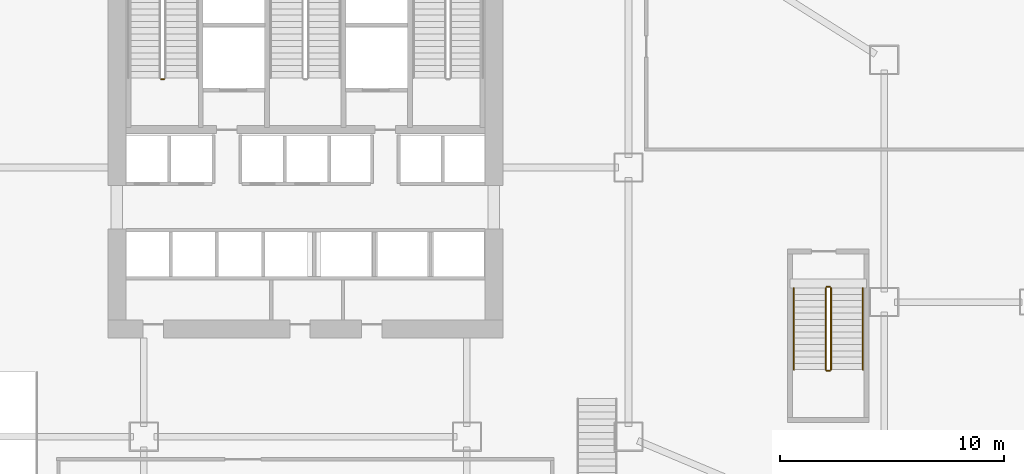
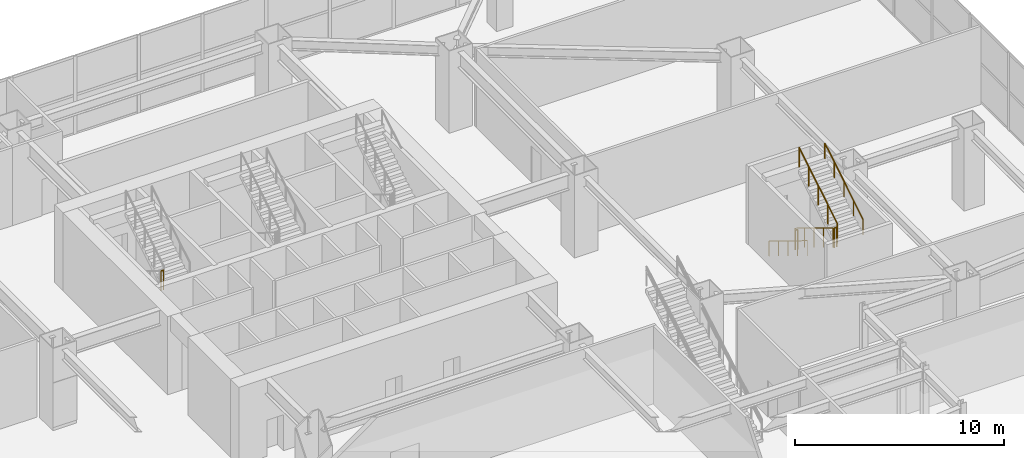
# One storey, part 29 of 31: 7 railings.
"""IFC4 building model written with IfcOpenShell, lengths in metres."""

import ifcopenshell
import ifcopenshell.guid

model = None  # the IFC model being written
_history = None  # IfcOwnerHistory: only IFC2X3 demands one
_inside = {}  # id of a spatial element -> (the spatial element, [elements in it])
_under = {}  # id of a project, library or spatial element -> (it, [spatial elements below it])
_declared = {}  # id of a project -> (the project, [libraries it declares])
_typed = {}  # id of a type object -> (the type object, [elements of that type])
_made_of = {}  # id of a material, layer set ... -> (it, [elements and type objects made of it])


def new_model(schema):
    """Start an empty IFC model of exactly this schema.

    Asked for "IFC4X3", IfcOpenShell would pick the latest addendum, in which some entities
    have other attributes; the version numbers below select the first issue.
    IFC2X3 requires an IfcOwnerHistory on every rooted entity: one is made here for all.
    """
    global model, _history
    if schema == "IFC4X3":
        model = ifcopenshell.file(schema_version=(4, 3, 0, 0))
    else:
        model = ifcopenshell.file(schema=schema)
    _inside.clear()
    _under.clear()
    _declared.clear()
    _typed.clear()
    _made_of.clear()
    _history = None
    if model.schema == "IFC2X3":
        org = make("IfcOrganization", Name="unknown")
        user = make(
            "IfcPersonAndOrganization",
            ThePerson=make("IfcPerson", FamilyName="unknown"),
            TheOrganization=org,
        )
        app = make(
            "IfcApplication",
            ApplicationDeveloper=org,
            Version="unknown",
            ApplicationFullName="unknown",
            ApplicationIdentifier="unknown",
        )
        _history = make(
            "IfcOwnerHistory",
            OwningUser=user,
            OwningApplication=app,
            ChangeAction="ADDED",
            CreationDate=0,
        )
    return model


def make(cls, **values):
    """One entity of the class cls with the attributes given. An attribute that is None is left unset."""
    return model.create_entity(
        cls, **{name: value for name, value in values.items() if value is not None}
    )


def rooted(cls, **values):
    """An entity with a GlobalId (a new one), such as an element, a storey or a relation."""
    return make(cls, GlobalId=ifcopenshell.guid.new(), OwnerHistory=_history, **values)


def si_unit(unit_type, name, prefix=None):
    """IfcSIUnit, for example si_unit("LENGTHUNIT", "METRE", prefix="MILLI")."""
    return make("IfcSIUnit", UnitType=unit_type, Prefix=prefix, Name=name)


def assignment(units):
    """IfcUnitAssignment: the units of a project."""
    return None if units is None else make("IfcUnitAssignment", Units=units)


def point(xyz):
    """IfcCartesianPoint."""
    return None if xyz is None else make("IfcCartesianPoint", Coordinates=xyz)


def direction(xyz):
    """IfcDirection."""
    return None if xyz is None else make("IfcDirection", DirectionRatios=xyz)


def frame(location, z_axis=None, x_axis=None):
    """IfcAxis2Placement3D, a coordinate frame: its origin and axes. An axis left out is left unset."""
    return make(
        "IfcAxis2Placement3D",
        Location=point(location),
        Axis=direction(z_axis),
        RefDirection=direction(x_axis),
    )


def frame_2d(location, x_axis=None):
    """IfcAxis2Placement2D, a coordinate frame in the plane: its origin and x axis."""
    return make(
        "IfcAxis2Placement2D", Location=point(location), RefDirection=direction(x_axis)
    )


def origin():
    """The frame at (0, 0, 0) with its axes left unset."""
    return frame((0.0, 0.0, 0.0))


def origin_2d():
    """The frame at (0, 0) in the plane with its x axis left unset."""
    return frame_2d((0.0, 0.0))


def place(relative_to, where):
    """IfcLocalPlacement: puts the frame where relative to a parent placement (None: the world)."""
    return make(
        "IfcLocalPlacement", PlacementRelTo=relative_to, RelativePlacement=where
    )


def context(
    kind, dimensions, precision=None, world=None, true_north=None, identifier=None
):
    """IfcGeometricRepresentationContext, for example the 3D "Model" context."""
    return make(
        "IfcGeometricRepresentationContext",
        ContextIdentifier=identifier,
        ContextType=kind,
        CoordinateSpaceDimension=dimensions,
        Precision=precision,
        WorldCoordinateSystem=world,
        TrueNorth=true_north,
    )


def subcontext(parent, identifier, kind, view, scale=None):
    """IfcGeometricRepresentationSubContext, for example "Body" below "Model"."""
    return make(
        "IfcGeometricRepresentationSubContext",
        ContextIdentifier=identifier,
        ContextType=kind,
        ParentContext=parent,
        TargetScale=scale,
        TargetView=view,
    )


def project(units=None, contexts=None):
    """IfcProject with its units and contexts."""
    return rooted(
        "IfcProject",
        Name="project",
        RepresentationContexts=contexts,
        UnitsInContext=assignment(units),
    )


def spatial(cls, under=None, at=None, **own):
    """A site, building, storey or space (cls), placed at a placement, below another one or the project."""
    s = rooted(cls, ObjectPlacement=at, **own)
    if under is not None:
        _under.setdefault(under.id(), (under, []))[1].append(s)
    return s


def profile(cls, at=None, kind="AREA", **sizes):
    """A parametric profile (cls). Its sizes go by their IFC names, for example OverallWidth=200.0."""
    return make(cls, ProfileType=kind, Position=at, **sizes)


def circle(**sizes):
    """IfcCircleProfileDef."""
    return profile("IfcCircleProfileDef", **sizes)


def extrude(swept, where, along, depth):
    """IfcExtrudedAreaSolid: the profile swept, set in the frame where, extruded along a direction by depth."""
    return make(
        "IfcExtrudedAreaSolid",
        SweptArea=swept,
        Position=where,
        ExtrudedDirection=direction(along),
        Depth=depth,
    )


def shape(context_of_items, identifier, shape_type, items):
    """IfcShapeRepresentation: the items that make up one representation, for example the "Body"."""
    return make(
        "IfcShapeRepresentation",
        ContextOfItems=context_of_items,
        RepresentationIdentifier=identifier,
        RepresentationType=shape_type,
        Items=items,
    )


def material(Name=None, Category=None):
    """IfcMaterial."""
    return make("IfcMaterial", Name=Name, Category=Category)


def made_of(thing, what):
    """Note that an element or type object is made of a material, layer set ...; save() writes the relation."""
    if what is not None:
        _made_of.setdefault(what.id(), (what, []))[1].append(thing)
    return thing


def type_object(cls, material=None, **own):
    """A type object (cls), such as IfcWallType, which elements share."""
    return made_of(rooted(cls, **own), material)


def element(
    cls,
    number,
    at=None,
    inside=None,
    cuts=None,
    type_object=None,
    material=None,
    context=None,
    identifier="Body",
    shape_type=None,
    held_by="IfcProductDefinitionShape",
    body=None,
    shapes=None,
    **own,
):
    """One element of the class cls, such as IfcWall. Its Tag is "e" and its number.

    at: its placement. inside: the storey or other place that contains it. cuts: it is an
    opening in that element (IfcRelVoidsElement). A single representation is given by context,
    identifier, shape_type and body (its items); several are given by shapes. held_by: the class
    of the entity that holds the representations. save() writes the other relations.
    """
    e = rooted(cls, Tag="e%d" % number, ObjectPlacement=at, **own)
    if body is not None:
        shapes = [shape(context, identifier, shape_type, body)]
    if shapes is not None:
        e.Representation = make(held_by, Representations=shapes)
    if inside is not None:
        _inside.setdefault(inside.id(), (inside, []))[1].append(e)
    if cuts is not None:
        rooted(
            "IfcRelVoidsElement", RelatingBuildingElement=cuts, RelatedOpeningElement=e
        )
    if type_object is not None:
        _typed.setdefault(type_object.id(), (type_object, []))[1].append(e)
    return made_of(e, material)


def aggregate(whole, parts):
    """IfcRelAggregates: a whole, such as a stair, and the parts it consists of."""
    return rooted("IfcRelAggregates", RelatingObject=whole, RelatedObjects=parts)


def save(model, path):
    """Write the relations noted so far, then the file.

    IfcRelAggregates (storeys below a building ...), IfcRelContainedInSpatialStructure (elements
    in a storey), IfcRelDefinesByType, IfcRelAssociatesMaterial and IfcRelDeclares: one each for
    every whole, place, type object, material and project.
    """
    for whole, parts in _under.values():
        aggregate(whole, parts)
    for where, things in _inside.values():
        rooted(
            "IfcRelContainedInSpatialStructure",
            RelatedElements=things,
            RelatingStructure=where,
        )
    for kind, things in _typed.values():
        rooted("IfcRelDefinesByType", RelatedObjects=things, RelatingType=kind)
    for what, things in _made_of.values():
        rooted("IfcRelAssociatesMaterial", RelatedObjects=things, RelatingMaterial=what)
    for by, libraries in _declared.values():
        rooted("IfcRelDeclares", RelatingContext=by, RelatedDefinitions=libraries)
    model.write(path)


model = new_model("IFC4")

# Units and contexts
model_context = context("Model", 3, precision=1e-05, world=origin(), true_north=direction((0.0, 1.0)))
body_context = subcontext(model_context, "Body", "Model", "MODEL_VIEW")
ifc_project = project(units=[si_unit("LENGTHUNIT", "METRE"), si_unit("AREAUNIT", "SQUARE_METRE"), si_unit("VOLUMEUNIT", "CUBIC_METRE"), si_unit("PLANEANGLEUNIT", "RADIAN"), si_unit("MASSUNIT", "GRAM", prefix="KILO")], contexts=[model_context])

# Site, building, storey
site_placement = place(None, origin())
site = spatial("IfcSite", under=ifc_project, at=site_placement, CompositionType="ELEMENT")
building_placement = place(site_placement, origin())
building = spatial("IfcBuilding", under=site, at=building_placement, Name="Haolan Belvedere Tower", CompositionType="ELEMENT")
storey_placement = place(building_placement, frame((0.0, 0.0, 5.39990234375)))
storey = spatial("IfcBuildingStorey", under=building, at=storey_placement, Name="L01", CompositionType="ELEMENT", Elevation=5.39990234375)

# Railings
ifc_material = material(Name="Brushed stainless steel 304", Category="steel")
railing_type_1 = type_object("IfcRailingType", Name="RL-STAIR-GRD-1150", PredefinedType="GUARDRAIL", material=ifc_material)
railing_1_placement = place(storey_placement, frame((31.969970703125, 37.5400390625, 2.400146484375)))
element("IfcRailing", 1, at=railing_1_placement, inside=storey, type_object=railing_type_1, Name="L01 ST1 stair guard 2", PredefinedType="GUARDRAIL", context=body_context, shape_type="SweptSolid", body=[
    extrude(circle(Radius=0.02392578125, at=origin_2d()), frame((0.0, 0.0, 1.1259765625), z_axis=(1.0, 0.0, 0.0), x_axis=(0.0, 1.0, 0.0)), (0.0, 0.0, 1.0), 0.14013671875),
    extrude(circle(Radius=0.02099609375, at=origin_2d()), origin(), (0.0, 0.0, 1.0), 1.101806640625),
    extrude(circle(Radius=0.02099609375, at=origin_2d()), frame((0.14013671875, 0.0, 0.0)), (0.0, 0.0, 1.0), 1.101806640625),
])
railing_2_placement = place(storey_placement, frame((61.590087890625, 28.22998046875, 0.171630859375)))
element("IfcRailing", 2, at=railing_2_placement, inside=storey, type_object=railing_type_1, Name="L01 ST5 stair guard 1", PredefinedType="GUARDRAIL", context=body_context, shape_type="SweptSolid", body=[
    extrude(circle(Radius=0.02392578125, at=origin_2d()), frame((0.0, 0.0, 1.1259765625), z_axis=(0.0, -0.852850264322, 0.5221555579), x_axis=(1.0, 0.0, 0.0)), (0.0, 0.0, 1.0), 4.267822265625),
    extrude(circle(Radius=0.02099609375, at=origin_2d()), origin(), (0.0, 0.0, 1.0), 1.101806640625),
    extrude(circle(Radius=0.02099609375, at=origin_2d()), frame((0.0, -0.909912109375, 0.55712890625)), (0.0, 0.0, 1.0), 1.101806640625),
    extrude(circle(Radius=0.02099609375, at=origin_2d()), frame((0.0, -1.81982421875, 1.1142578125)), (0.0, 0.0, 1.0), 1.101806640625),
    extrude(circle(Radius=0.02099609375, at=origin_2d()), frame((0.0, -2.72998046875, 1.67138671875)), (0.0, 0.0, 1.0), 1.101806640625),
    extrude(circle(Radius=0.02099609375, at=origin_2d()), frame((0.0, -3.639892578125, 2.228515625)), (0.0, 0.0, 1.0), 1.101806640625),
])
railing_3_placement = place(storey_placement, frame((61.639892578125, 24.5400390625, 2.400146484375)))
element("IfcRailing", 3, at=railing_3_placement, inside=storey, type_object=railing_type_1, Name="L01 ST5 stair guard 2", PredefinedType="GUARDRAIL", context=body_context, shape_type="SweptSolid", body=[
    extrude(circle(Radius=0.02392578125, at=origin_2d()), frame((0.0, 0.0, 1.1259765625), z_axis=(1.0, 0.0, 0.0), x_axis=(0.0, 1.0, 0.0)), (0.0, 0.0, 1.0), 0.14013671875),
    extrude(circle(Radius=0.02099609375, at=origin_2d()), origin(), (0.0, 0.0, 1.0), 1.101806640625),
    extrude(circle(Radius=0.02099609375, at=origin_2d()), frame((0.14013671875, 0.0, 0.0)), (0.0, 0.0, 1.0), 1.101806640625),
])
railing_4_placement = place(storey_placement, frame((61.830078125, 24.590087890625, 2.571533203125)))
element("IfcRailing", 4, at=railing_4_placement, inside=storey, type_object=railing_type_1, Name="L01 ST5 stair guard 3", PredefinedType="GUARDRAIL", context=body_context, shape_type="SweptSolid", body=[
    extrude(circle(Radius=0.02392578125, at=origin_2d()), frame((0.0, 0.0, 1.1259765625), z_axis=(0.0, 0.852850264322, 0.5221555579), x_axis=(-1.0, 0.0, 0.0)), (0.0, 0.0, 1.0), 4.267822265625),
    extrude(circle(Radius=0.02099609375, at=origin_2d()), origin(), (0.0, 0.0, 1.0), 1.101806640625),
    extrude(circle(Radius=0.02099609375, at=origin_2d()), frame((0.0, 0.909912109375, 0.55712890625)), (0.0, 0.0, 1.0), 1.101806640625),
    extrude(circle(Radius=0.02099609375, at=origin_2d()), frame((0.0, 1.81982421875, 1.1142578125)), (0.0, 0.0, 1.0), 1.101806640625),
    extrude(circle(Radius=0.02099609375, at=origin_2d()), frame((0.0, 2.72998046875, 1.67138671875)), (0.0, 0.0, 1.0), 1.101806640625),
    extrude(circle(Radius=0.02099609375, at=origin_2d()), frame((0.0, 3.639892578125, 2.228515625)), (0.0, 0.0, 1.0), 1.101806640625),
])
railing_5_placement = place(storey_placement, frame((61.639892578125, 28.280029296875, 0.0)))
element("IfcRailing", 5, at=railing_5_placement, inside=storey, type_object=railing_type_1, Name="L01 ST5 stair guard 4", PredefinedType="GUARDRAIL", context=body_context, shape_type="SweptSolid", body=[
    extrude(circle(Radius=0.02392578125, at=origin_2d()), frame((0.0, 0.0, 1.1259765625), z_axis=(1.0, 0.0, 0.0), x_axis=(0.0, 1.0, 0.0)), (0.0, 0.0, 1.0), 0.14013671875),
    extrude(circle(Radius=0.02099609375, at=origin_2d()), origin(), (0.0, 0.0, 1.0), 1.101806640625),
    extrude(circle(Radius=0.02099609375, at=origin_2d()), frame((0.14013671875, 0.0, 0.0)), (0.0, 0.0, 1.0), 1.101806640625),
])
railing_type_2 = type_object("IfcRailingType", Name="RL-STAIR-HND-900", PredefinedType="HANDRAIL", material=ifc_material)
railing_6_placement = place(storey_placement, frame((60.169921875, 28.22998046875, 0.171630859375)))
element("IfcRailing", 6, at=railing_6_placement, inside=storey, type_object=railing_type_2, Name="L01 ST5 stair handrail 1", PredefinedType="HANDRAIL", context=body_context, shape_type="SweptSolid", body=[
    extrude(circle(Radius=0.02392578125, at=origin_2d()), frame((0.0, 0.0, 0.8759765625), z_axis=(0.0, -0.852850264322, 0.5221555579), x_axis=(1.0, 0.0, 0.0)), (0.0, 0.0, 1.0), 4.267822265625),
    extrude(circle(Radius=0.02099609375, at=origin_2d()), origin(), (0.0, 0.0, 1.0), 0.851806640625),
    extrude(circle(Radius=0.02099609375, at=origin_2d()), frame((0.0, -0.909912109375, 0.55712890625)), (0.0, 0.0, 1.0), 0.851806640625),
    extrude(circle(Radius=0.02099609375, at=origin_2d()), frame((0.0, -1.81982421875, 1.1142578125)), (0.0, 0.0, 1.0), 0.851806640625),
    extrude(circle(Radius=0.02099609375, at=origin_2d()), frame((0.0, -2.72998046875, 1.67138671875)), (0.0, 0.0, 1.0), 0.851806640625),
    extrude(circle(Radius=0.02099609375, at=origin_2d()), frame((0.0, -3.639892578125, 2.228515625)), (0.0, 0.0, 1.0), 0.851806640625),
])
railing_7_placement = place(storey_placement, frame((63.25, 24.590087890625, 2.571533203125)))
element("IfcRailing", 7, at=railing_7_placement, inside=storey, type_object=railing_type_2, Name="L01 ST5 stair handrail 2", PredefinedType="HANDRAIL", context=body_context, shape_type="SweptSolid", body=[
    extrude(circle(Radius=0.02392578125, at=origin_2d()), frame((0.0, 0.0, 0.8759765625), z_axis=(0.0, 0.852850264322, 0.5221555579), x_axis=(-1.0, 0.0, 0.0)), (0.0, 0.0, 1.0), 4.267822265625),
    extrude(circle(Radius=0.02099609375, at=origin_2d()), origin(), (0.0, 0.0, 1.0), 0.851806640625),
    extrude(circle(Radius=0.02099609375, at=origin_2d()), frame((0.0, 0.909912109375, 0.55712890625)), (0.0, 0.0, 1.0), 0.851806640625),
    extrude(circle(Radius=0.02099609375, at=origin_2d()), frame((0.0, 1.81982421875, 1.1142578125)), (0.0, 0.0, 1.0), 0.851806640625),
    extrude(circle(Radius=0.02099609375, at=origin_2d()), frame((0.0, 2.72998046875, 1.67138671875)), (0.0, 0.0, 1.0), 0.851806640625),
    extrude(circle(Radius=0.02099609375, at=origin_2d()), frame((0.0, 3.639892578125, 2.228515625)), (0.0, 0.0, 1.0), 0.851806640625),
])

save(model, "model.ifc")
